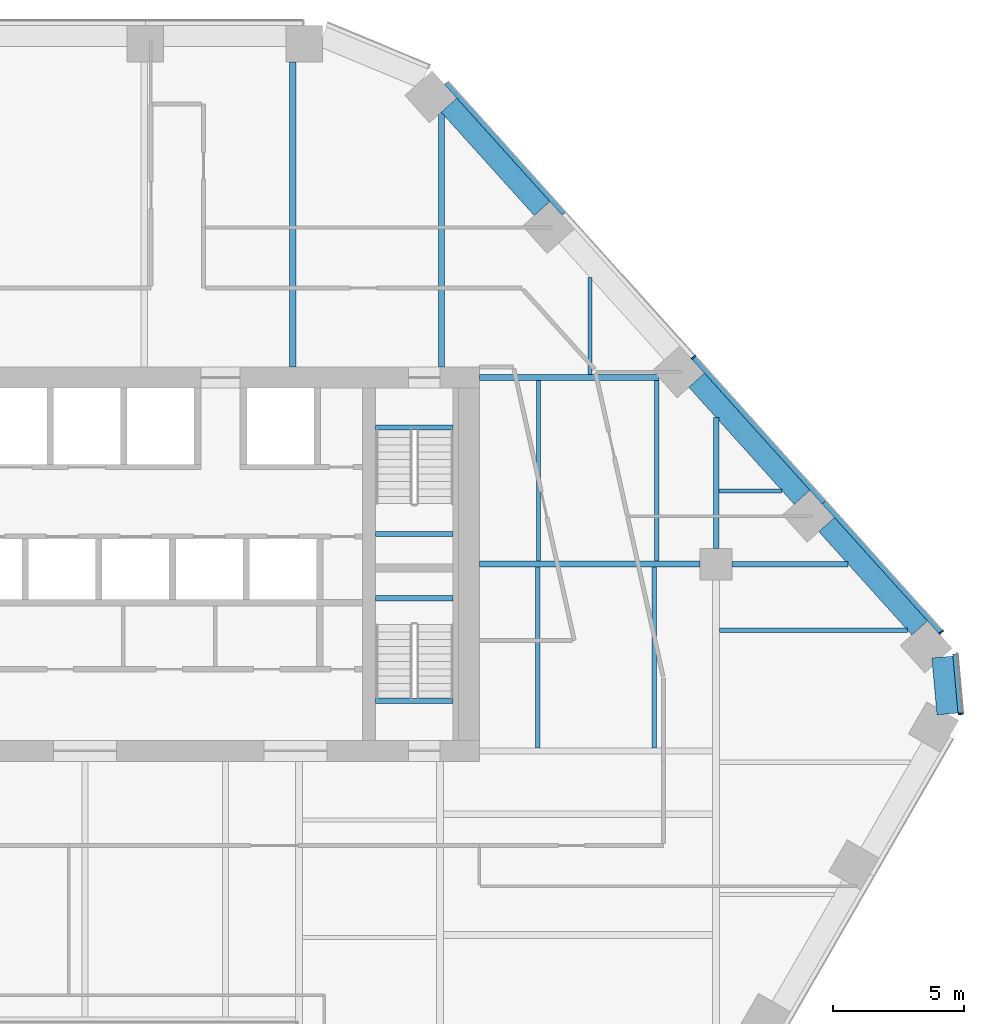
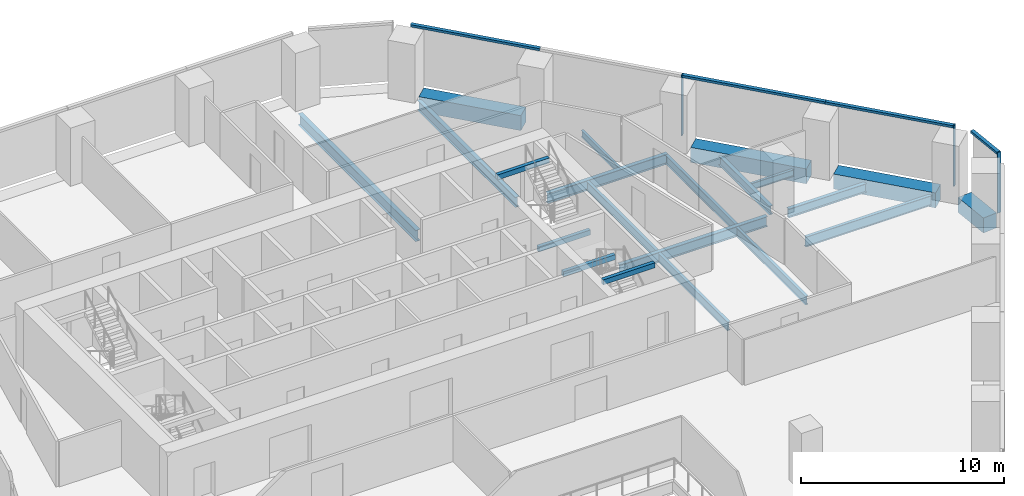
# One storey, part 8 of 16: 21 beams, 7 members, 2 elements without a shape of their own.
"""IFC4 building model written with IfcOpenShell, lengths in metres."""

import ifcopenshell
import ifcopenshell.guid

model = None  # the IFC model being written
_history = None  # IfcOwnerHistory: only IFC2X3 demands one
_inside = {}  # id of a spatial element -> (the spatial element, [elements in it])
_under = {}  # id of a project, library or spatial element -> (it, [spatial elements below it])
_declared = {}  # id of a project -> (the project, [libraries it declares])
_typed = {}  # id of a type object -> (the type object, [elements of that type])
_made_of = {}  # id of a material, layer set ... -> (it, [elements and type objects made of it])


def new_model(schema):
    """Start an empty IFC model of exactly this schema.

    Asked for "IFC4X3", IfcOpenShell would pick the latest addendum, in which some entities
    have other attributes; the version numbers below select the first issue.
    IFC2X3 requires an IfcOwnerHistory on every rooted entity: one is made here for all.
    """
    global model, _history
    if schema == "IFC4X3":
        model = ifcopenshell.file(schema_version=(4, 3, 0, 0))
    else:
        model = ifcopenshell.file(schema=schema)
    _inside.clear()
    _under.clear()
    _declared.clear()
    _typed.clear()
    _made_of.clear()
    _history = None
    if model.schema == "IFC2X3":
        org = make("IfcOrganization", Name="unknown")
        user = make(
            "IfcPersonAndOrganization",
            ThePerson=make("IfcPerson", FamilyName="unknown"),
            TheOrganization=org,
        )
        app = make(
            "IfcApplication",
            ApplicationDeveloper=org,
            Version="unknown",
            ApplicationFullName="unknown",
            ApplicationIdentifier="unknown",
        )
        _history = make(
            "IfcOwnerHistory",
            OwningUser=user,
            OwningApplication=app,
            ChangeAction="ADDED",
            CreationDate=0,
        )
    return model


def make(cls, **values):
    """One entity of the class cls with the attributes given. An attribute that is None is left unset."""
    return model.create_entity(
        cls, **{name: value for name, value in values.items() if value is not None}
    )


def rooted(cls, **values):
    """An entity with a GlobalId (a new one), such as an element, a storey or a relation."""
    return make(cls, GlobalId=ifcopenshell.guid.new(), OwnerHistory=_history, **values)


def si_unit(unit_type, name, prefix=None):
    """IfcSIUnit, for example si_unit("LENGTHUNIT", "METRE", prefix="MILLI")."""
    return make("IfcSIUnit", UnitType=unit_type, Prefix=prefix, Name=name)


def assignment(units):
    """IfcUnitAssignment: the units of a project."""
    return None if units is None else make("IfcUnitAssignment", Units=units)


def point(xyz):
    """IfcCartesianPoint."""
    return None if xyz is None else make("IfcCartesianPoint", Coordinates=xyz)


def direction(xyz):
    """IfcDirection."""
    return None if xyz is None else make("IfcDirection", DirectionRatios=xyz)


def frame(location, z_axis=None, x_axis=None):
    """IfcAxis2Placement3D, a coordinate frame: its origin and axes. An axis left out is left unset."""
    return make(
        "IfcAxis2Placement3D",
        Location=point(location),
        Axis=direction(z_axis),
        RefDirection=direction(x_axis),
    )


def frame_2d(location, x_axis=None):
    """IfcAxis2Placement2D, a coordinate frame in the plane: its origin and x axis."""
    return make(
        "IfcAxis2Placement2D", Location=point(location), RefDirection=direction(x_axis)
    )


def origin():
    """The frame at (0, 0, 0) with its axes left unset."""
    return frame((0.0, 0.0, 0.0))


def origin_2d():
    """The frame at (0, 0) in the plane with its x axis left unset."""
    return frame_2d((0.0, 0.0))


def place(relative_to, where):
    """IfcLocalPlacement: puts the frame where relative to a parent placement (None: the world)."""
    return make(
        "IfcLocalPlacement", PlacementRelTo=relative_to, RelativePlacement=where
    )


def context(
    kind, dimensions, precision=None, world=None, true_north=None, identifier=None
):
    """IfcGeometricRepresentationContext, for example the 3D "Model" context."""
    return make(
        "IfcGeometricRepresentationContext",
        ContextIdentifier=identifier,
        ContextType=kind,
        CoordinateSpaceDimension=dimensions,
        Precision=precision,
        WorldCoordinateSystem=world,
        TrueNorth=true_north,
    )


def subcontext(parent, identifier, kind, view, scale=None):
    """IfcGeometricRepresentationSubContext, for example "Body" below "Model"."""
    return make(
        "IfcGeometricRepresentationSubContext",
        ContextIdentifier=identifier,
        ContextType=kind,
        ParentContext=parent,
        TargetScale=scale,
        TargetView=view,
    )


def project(units=None, contexts=None):
    """IfcProject with its units and contexts."""
    return rooted(
        "IfcProject",
        Name="project",
        RepresentationContexts=contexts,
        UnitsInContext=assignment(units),
    )


def spatial(cls, under=None, at=None, **own):
    """A site, building, storey or space (cls), placed at a placement, below another one or the project."""
    s = rooted(cls, ObjectPlacement=at, **own)
    if under is not None:
        _under.setdefault(under.id(), (under, []))[1].append(s)
    return s


def profile(cls, at=None, kind="AREA", **sizes):
    """A parametric profile (cls). Its sizes go by their IFC names, for example OverallWidth=200.0."""
    return make(cls, ProfileType=kind, Position=at, **sizes)


def rectangle(**sizes):
    """IfcRectangleProfileDef."""
    return profile("IfcRectangleProfileDef", **sizes)


def i_section(**sizes):
    """IfcIShapeProfileDef."""
    return profile("IfcIShapeProfileDef", **sizes)


def extrude(swept, where, along, depth):
    """IfcExtrudedAreaSolid: the profile swept, set in the frame where, extruded along a direction by depth."""
    return make(
        "IfcExtrudedAreaSolid",
        SweptArea=swept,
        Position=where,
        ExtrudedDirection=direction(along),
        Depth=depth,
    )


def shape(context_of_items, identifier, shape_type, items):
    """IfcShapeRepresentation: the items that make up one representation, for example the "Body"."""
    return make(
        "IfcShapeRepresentation",
        ContextOfItems=context_of_items,
        RepresentationIdentifier=identifier,
        RepresentationType=shape_type,
        Items=items,
    )


def material(Name=None, Category=None):
    """IfcMaterial."""
    return make("IfcMaterial", Name=Name, Category=Category)


def layer(
    of_material, thickness, ventilated=None, Name=None, Category=None, Priority=None
):
    """IfcMaterialLayer: one layer of a wall or slab, of a material (None: an air gap)."""
    return make(
        "IfcMaterialLayer",
        Material=of_material,
        LayerThickness=thickness,
        IsVentilated=ventilated,
        Name=Name,
        Category=Category,
        Priority=Priority,
    )


def layer_set(layers, Name=None):
    """IfcMaterialLayerSet."""
    return make("IfcMaterialLayerSet", MaterialLayers=layers, LayerSetName=Name)


def material_profile(
    of_material, cross_section, Name=None, Category=None, Priority=None
):
    """IfcMaterialProfile: a cross section and its material."""
    return make(
        "IfcMaterialProfile",
        Name=Name,
        Material=of_material,
        Profile=cross_section,
        Priority=Priority,
        Category=Category,
    )


def profile_set(profiles, Name=None, composite=None):
    """IfcMaterialProfileSet."""
    return make(
        "IfcMaterialProfileSet",
        Name=Name,
        MaterialProfiles=profiles,
        CompositeProfile=composite,
    )


def made_of(thing, what):
    """Note that an element or type object is made of a material, layer set ...; save() writes the relation."""
    if what is not None:
        _made_of.setdefault(what.id(), (what, []))[1].append(thing)
    return thing


def type_object(cls, material=None, **own):
    """A type object (cls), such as IfcWallType, which elements share."""
    return made_of(rooted(cls, **own), material)


def element(
    cls,
    number,
    at=None,
    inside=None,
    cuts=None,
    type_object=None,
    material=None,
    context=None,
    identifier="Body",
    shape_type=None,
    held_by="IfcProductDefinitionShape",
    body=None,
    shapes=None,
    **own,
):
    """One element of the class cls, such as IfcWall. Its Tag is "e" and its number.

    at: its placement. inside: the storey or other place that contains it. cuts: it is an
    opening in that element (IfcRelVoidsElement). A single representation is given by context,
    identifier, shape_type and body (its items); several are given by shapes. held_by: the class
    of the entity that holds the representations. save() writes the other relations.
    """
    e = rooted(cls, Tag="e%d" % number, ObjectPlacement=at, **own)
    if body is not None:
        shapes = [shape(context, identifier, shape_type, body)]
    if shapes is not None:
        e.Representation = make(held_by, Representations=shapes)
    if inside is not None:
        _inside.setdefault(inside.id(), (inside, []))[1].append(e)
    if cuts is not None:
        rooted(
            "IfcRelVoidsElement", RelatingBuildingElement=cuts, RelatedOpeningElement=e
        )
    if type_object is not None:
        _typed.setdefault(type_object.id(), (type_object, []))[1].append(e)
    return made_of(e, material)


def aggregate(whole, parts):
    """IfcRelAggregates: a whole, such as a stair, and the parts it consists of."""
    return rooted("IfcRelAggregates", RelatingObject=whole, RelatedObjects=parts)


def save(model, path):
    """Write the relations noted so far, then the file.

    IfcRelAggregates (storeys below a building ...), IfcRelContainedInSpatialStructure (elements
    in a storey), IfcRelDefinesByType, IfcRelAssociatesMaterial and IfcRelDeclares: one each for
    every whole, place, type object, material and project.
    """
    for whole, parts in _under.values():
        aggregate(whole, parts)
    for where, things in _inside.values():
        rooted(
            "IfcRelContainedInSpatialStructure",
            RelatedElements=things,
            RelatingStructure=where,
        )
    for kind, things in _typed.values():
        rooted("IfcRelDefinesByType", RelatedObjects=things, RelatingType=kind)
    for what, things in _made_of.values():
        rooted("IfcRelAssociatesMaterial", RelatedObjects=things, RelatingMaterial=what)
    for by, libraries in _declared.values():
        rooted("IfcRelDeclares", RelatingContext=by, RelatedDefinitions=libraries)
    model.write(path)


model = new_model("IFC4")

# Units and contexts
model_context = context("Model", 3, precision=1e-05, world=origin(), true_north=direction((0.0, 1.0)))
body_context = subcontext(model_context, "Body", "Model", "MODEL_VIEW")
ifc_project = project(units=[si_unit("LENGTHUNIT", "METRE"), si_unit("AREAUNIT", "SQUARE_METRE"), si_unit("VOLUMEUNIT", "CUBIC_METRE"), si_unit("PLANEANGLEUNIT", "RADIAN"), si_unit("MASSUNIT", "GRAM", prefix="KILO")], contexts=[model_context])

# Site, building, storey
site_placement = place(None, origin())
site = spatial("IfcSite", under=ifc_project, at=site_placement, CompositionType="ELEMENT")
building_placement = place(site_placement, origin())
building = spatial("IfcBuilding", under=site, at=building_placement, Name="Isthmus Gate Tower", CompositionType="ELEMENT")
storey_placement = place(building_placement, frame((0.0, 0.0, 137.10009765625)))
storey = spatial("IfcBuildingStorey", under=building, at=storey_placement, Name="L33", CompositionType="ELEMENT", Elevation=137.10009765625)

# Curtain wall, member
ifc_material_1 = material(Name="Aluminium, pale champagne anodised", Category="aluminium")
ifc_layer = layer(ifc_material_1, 0.199951171875)
ifc_layer_set = layer_set([ifc_layer], Name="CW-1 UNITISED CURTAIN WALL 200 DEEP")
curtain_wall_type = type_object("IfcCurtainWallType", Name="CW-1 UNITISED CURTAIN WALL 200 DEEP", PredefinedType="NOTDEFINED", material=ifc_layer_set)
curtain_wall_1_placement = place(storey_placement, origin())
curtain_wall_1 = element("IfcCurtainWall", 1, at=curtain_wall_1_placement, inside=storey, type_object=curtain_wall_type, Name="CW-1 SE-NE L33", PredefinedType="NOTDEFINED")
ifc_material_2 = material(Name="Aluminium, pale champagne anodised", Category="aluminium")
ifc_material_profile_1 = material_profile(ifc_material_2, rectangle(XDim=0.06005859375, YDim=0.199951171875, at=origin_2d()), Name="60x200")
ifc_profile_set_1 = profile_set([ifc_material_profile_1], Name="Aluminium, pale champagne anodised")
member_type_1 = type_object("IfcMemberType", Name="CW-1 MULLION 60 X 200", PredefinedType="MULLION", material=ifc_profile_set_1)
member_1_placement = place(storey_placement, frame((33.307861328125, 1.804443359375, 0.0), z_axis=(0.0, 0.0, 1.0), x_axis=(-0.089396669717, 0.995996102123, 0.0)))
member_1 = element("IfcMember", 2, at=member_1_placement, type_object=member_type_1, Name="CW-1 mullion", PredefinedType="MULLION", context=body_context, shape_type="SweptSolid", body=[
    extrude(rectangle(XDim=0.06005859375, YDim=0.199951171875, at=origin_2d()), origin(), (0.0, 0.0, 1.0), 3.64990234375),
])

# Curtain wall, members
curtain_wall_2_placement = place(storey_placement, origin())
curtain_wall_2 = element("IfcCurtainWall", 3, at=curtain_wall_2_placement, inside=storey, type_object=curtain_wall_type, Name="CW-1 NE L33", PredefinedType="NOTDEFINED")
member_2_placement = place(storey_placement, frame((32.5693359375, 4.908447265625, 0.0), z_axis=(0.0, 0.0, 1.0), x_axis=(-0.669130606359, 0.743144825477, 0.0)))
member_2 = element("IfcMember", 4, at=member_2_placement, type_object=member_type_1, Name="CW-1 mullion", PredefinedType="MULLION", context=body_context, shape_type="SweptSolid", body=[
    extrude(rectangle(XDim=0.06005859375, YDim=0.199951171875, at=origin_2d()), origin(), (0.0, 0.0, 1.0), 3.64990234375),
])
member_3_placement = place(storey_placement, frame((23.14697265625, 15.373046875, 0.0), z_axis=(0.0, 0.0, 1.0), x_axis=(-0.669130606359, 0.743144825477, 0.0)))
member_3 = element("IfcMember", 5, at=member_3_placement, type_object=member_type_1, Name="CW-1 mullion", PredefinedType="MULLION", context=body_context, shape_type="SweptSolid", body=[
    extrude(rectangle(XDim=0.06005859375, YDim=0.199951171875, at=origin_2d()), origin(), (0.0, 0.0, 1.0), 3.64990234375),
])

# Member
ifc_material_3 = material(Name="Aluminium, pale champagne anodised", Category="aluminium")
ifc_material_profile_2 = material_profile(ifc_material_3, rectangle(XDim=0.199951171875, YDim=0.139892578125, at=origin_2d()), Name="200x140")
ifc_profile_set_2 = profile_set([ifc_material_profile_2], Name="Aluminium, pale champagne anodised")
member_type_2 = type_object("IfcMemberType", Name="CW-1 TRANSOM 200 X 140", PredefinedType="USERDEFINED", material=ifc_profile_set_2)
member_4_placement = place(storey_placement, frame((33.30517578125, 1.83447265625, 3.579833984375), z_axis=(-0.089395362867, 0.995996219419, 0.0), x_axis=(-0.995996219419, -0.089395362867, 0.0)))
member_4 = element("IfcMember", 6, at=member_4_placement, type_object=member_type_2, Name="CW-1 transom", ObjectType="TRANSOM", PredefinedType="USERDEFINED", context=body_context, shape_type="SweptSolid", body=[
    extrude(rectangle(XDim=0.199951171875, YDim=0.139892578125, at=origin_2d()), origin(), (0.0, 0.0, 1.0), 2.258544921875),
])

aggregate(curtain_wall_1, [member_1, member_4])

member_5_placement = place(storey_placement, frame((32.54931640625, 4.930908203125, 3.579833984375), z_axis=(-0.669153891975, 0.743123858354, 0.0), x_axis=(-0.743123858354, -0.669153891975, 0.0)))
member_5 = element("IfcMember", 7, at=member_5_placement, type_object=member_type_2, Name="CW-1 transom", ObjectType="TRANSOM", PredefinedType="USERDEFINED", context=body_context, shape_type="SweptSolid", body=[
    extrude(rectangle(XDim=0.199951171875, YDim=0.139892578125, at=origin_2d()), origin(), (0.0, 0.0, 1.0), 6.630859375),
])

member_6_placement = place(storey_placement, frame((28.1123046875, 9.8583984375, 3.579833984375), z_axis=(-0.669123495435, 0.74315122812, 0.0), x_axis=(-0.74315122812, -0.669123495435, 0.0)))
member_6 = element("IfcMember", 8, at=member_6_placement, type_object=member_type_2, Name="CW-1 transom", ObjectType="TRANSOM", PredefinedType="USERDEFINED", context=body_context, shape_type="SweptSolid", body=[
    extrude(rectangle(XDim=0.199951171875, YDim=0.139892578125, at=origin_2d()), origin(), (0.0, 0.0, 1.0), 7.390625),
])

member_7_placement = place(storey_placement, frame((18.221435546875, 20.84326171875, 3.579833984375), z_axis=(-0.669117935274, 0.743156234378, 0.0), x_axis=(-0.743156234378, -0.669117935274, 0.0)))
member_7 = element("IfcMember", 9, at=member_7_placement, type_object=member_type_2, Name="CW-1 transom", ObjectType="TRANSOM", PredefinedType="USERDEFINED", context=body_context, shape_type="SweptSolid", body=[
    extrude(rectangle(XDim=0.199951171875, YDim=0.139892578125, at=origin_2d()), origin(), (0.0, 0.0, 1.0), 6.690673828125),
])

aggregate(curtain_wall_2, [member_2, member_5, member_6, member_3, member_7])

# Beams
ifc_material_4 = material(Name="Concrete f'c 60 MPa", Category="concrete")
ifc_material_profile_3 = material_profile(ifc_material_4, rectangle(XDim=0.800048828125, YDim=0.89990234375, at=origin_2d()), Name="RC 800X900")
ifc_profile_set_3 = profile_set([ifc_material_profile_3], Name="Concrete f'c 60 MPa")
beam_type_1 = type_object("IfcBeamType", Name="RC SPANDREL 800 X 900", PredefinedType="SPANDREL", material=ifc_profile_set_3)
beam_1_placement = place(storey_placement, frame((13.84130859375, 24.960693359375, -0.4501953125), z_axis=(0.669153370522, -0.743124327901, 0.0), x_axis=(0.743124327901, 0.669153370522, 0.0)))
element("IfcBeam", 10, at=beam_1_placement, inside=storey, type_object=beam_type_1, Name="str-spandrel-L33-01", PredefinedType="SPANDREL", context=body_context, shape_type="SweptSolid", body=[
    extrude(rectangle(XDim=0.800048828125, YDim=0.89990234375, at=origin_2d()), origin(), (0.0, 0.0, 1.0), 5.290771484375),
])
beam_2_placement = place(storey_placement, frame((23.263671875, 14.49609375, -0.4501953125), z_axis=(0.669156088603, -0.74312188037, 0.0), x_axis=(0.74312188037, 0.669156088603, 0.0)))
element("IfcBeam", 11, at=beam_2_placement, inside=storey, type_object=beam_type_1, Name="str-spandrel-L33-03", PredefinedType="SPANDREL", context=body_context, shape_type="SweptSolid", body=[
    extrude(rectangle(XDim=0.800048828125, YDim=0.89990234375, at=origin_2d()), origin(), (0.0, 0.0, 1.0), 5.99072265625),
])
beam_3_placement = place(storey_placement, frame((28.209228515625, 9.003662109375, -0.4501953125), z_axis=(0.669130424574, -0.743144989157, 0.0), x_axis=(0.743144989157, 0.669130424574, 0.0)))
element("IfcBeam", 12, at=beam_3_placement, inside=storey, type_object=beam_type_1, Name="str-spandrel-L33-04", PredefinedType="SPANDREL", context=body_context, shape_type="SweptSolid", body=[
    extrude(rectangle(XDim=0.800048828125, YDim=0.89990234375, at=origin_2d()), origin(), (0.0, 0.0, 1.0), 5.290771484375),
])
beam_4_placement = place(storey_placement, frame((32.61181640625, 3.964599609375, -0.4501953125), z_axis=(0.089421511639, -0.995993872098, 0.0), x_axis=(0.995993872098, 0.089421511639, 0.0)))
element("IfcBeam", 13, at=beam_4_placement, inside=storey, type_object=beam_type_1, Name="str-spandrel-L33-05", PredefinedType="SPANDREL", context=body_context, shape_type="SweptSolid", body=[
    extrude(rectangle(XDim=0.800048828125, YDim=0.89990234375, at=origin_2d()), origin(), (0.0, 0.0, 1.0), 2.17333984375),
])
ifc_material_5 = material(Name="Concrete f'c 40 MPa", Category="concrete")
ifc_material_profile_4 = material_profile(ifc_material_5, rectangle(XDim=0.199951171875, YDim=0.300048828125, at=origin_2d()), Name="STAIR LANDING BEAM RC 200 X 300")
ifc_profile_set_4 = profile_set([ifc_material_profile_4], Name="Concrete f'c 40 MPa")
beam_type_2 = type_object("IfcBeamType", Name="STAIR LANDING BEAM RC 200 X 300", PredefinedType="BEAM", material=ifc_profile_set_4)
for number, where, z_axis, x_axis, name in (
    (14, (11.050048828125, 8.64990234375, 1.474853515625), (1.0, 0.0, 0.0), (0.0, 1.0, 0.0), "L33 ST2 landing beam 1"),
    (15, (11.050048828125, 12.7001953125, 3.349853515625), (1.0, 0.0, 0.0), (0.0, 1.0, 0.0), "L33 ST2 floor-edge seat beam"),
    (16, (11.050048828125, 6.199951171875, 1.474853515625), (1.0, 0.0, 0.0), (0.0, 1.0, 0.0), "L33 ST8 landing beam 1"),
    (17, (11.050048828125, 2.2998046875, 3.349853515625), (1.0, 0.0, 0.0), (0.0, 1.0, 0.0), "L33 ST8 floor-edge seat beam"),
):
    element("IfcBeam", number, at=place(storey_placement, frame(where, z_axis=z_axis, x_axis=x_axis)), inside=storey, type_object=beam_type_2, Name=name, PredefinedType="BEAM", context=body_context, shape_type="SweptSolid", body=[
        extrude(rectangle(XDim=0.199951171875, YDim=0.300048828125, at=origin_2d()), origin(), (0.0, 0.0, 1.0), 2.949951171875),
    ])
ifc_material_6 = material(Name="Structural steel ASTM A992 Gr 50", Category="steel")
ifc_material_profile_5 = material_profile(ifc_material_6, i_section(OverallWidth=0.1396484375, OverallDepth=0.4033203125, WebThickness=0.00634765625, FlangeThickness=0.010986328125, at=origin_2d()), Name="W16X31")
ifc_profile_set_5 = profile_set([ifc_material_profile_5], Name="Structural steel ASTM A992 Gr 50")
beam_type_3 = type_object("IfcBeamType", Name="STEEL FLOOR BEAM W16X31", PredefinedType="JOIST", material=ifc_profile_set_5)
beam_5_placement = place(storey_placement, frame((19.204345703125, 14.71435546875, -0.351806640625), z_axis=(0.0, 1.0, 0.0), x_axis=(-1.0, 0.0, 0.0)))
element("IfcBeam", 18, at=beam_5_placement, inside=storey, type_object=beam_type_3, Name="str-beam-L33-05-07", PredefinedType="JOIST", context=body_context, shape_type="SweptSolid", body=[
    extrude(i_section(OverallWidth=0.1396484375, OverallDepth=0.4033203125, WebThickness=0.00634765625, FlangeThickness=0.010986328125, at=origin_2d()), origin(), (0.0, 0.0, 1.0), 3.6923828125),
])
beam_6_placement = place(storey_placement, frame((24.104736328125, 10.284423828125, -0.351806640625), z_axis=(1.0, 0.0, 0.0), x_axis=(0.0, 1.0, 0.0)))
element("IfcBeam", 19, at=beam_6_placement, inside=storey, type_object=beam_type_3, Name="str-beam-L33-15-00", PredefinedType="JOIST", context=body_context, shape_type="SweptSolid", body=[
    extrude(i_section(OverallWidth=0.1396484375, OverallDepth=0.4033203125, WebThickness=0.00634765625, FlangeThickness=0.010986328125, at=origin_2d()), origin(), (0.0, 0.0, 1.0), 2.412841796875),
])
ifc_material_7 = material(Name="Structural steel ASTM A992 Gr 50", Category="steel")
ifc_material_profile_6 = material_profile(ifc_material_7, i_section(OverallWidth=0.1650390625, OverallDepth=0.52392578125, WebThickness=0.009521484375, FlangeThickness=0.010986328125, at=origin_2d()), Name="W21X44")
ifc_profile_set_6 = profile_set([ifc_material_profile_6], Name="Structural steel ASTM A992 Gr 50")
beam_type_4 = type_object("IfcBeamType", Name="STEEL FLOOR BEAM W21X44", PredefinedType="JOIST", material=ifc_profile_set_6)
for number, where, z_axis, x_axis, name in (
    (20, (17.25, 7.6142578125, -0.412109375), (0.0, 1.0, 0.0), (-1.0, 0.0, 0.0), "str-beam-L33-13-00"),
    (21, (21.75, 7.6142578125, -0.412109375), (0.0, 1.0, 0.0), (-1.0, 0.0, 0.0), "str-beam-L33-13-01"),
    (22, (17.216552734375, 0.514404296875, -0.412109375), (0.0, 1.0, 0.0), (-1.0, 0.0, 0.0), "str-beam-L33-14-00"),
    (23, (21.64990234375, 0.514404296875, -0.412109375), (0.0, 1.0, 0.0), (-1.0, 0.0, 0.0), "str-beam-L33-14-01"),
):
    element("IfcBeam", number, at=place(storey_placement, frame(where, z_axis=z_axis, x_axis=x_axis)), inside=storey, type_object=beam_type_4, Name=name, PredefinedType="JOIST", context=body_context, shape_type="SweptSolid", body=[
        extrude(i_section(OverallWidth=0.1650390625, OverallDepth=0.52392578125, WebThickness=0.009521484375, FlangeThickness=0.010986328125, at=origin_2d()), origin(), (0.0, 0.0, 1.0), 6.871337890625),
    ])
ifc_material_8 = material(Name="Structural steel ASTM A992 Gr 50", Category="steel")
ifc_material_profile_7 = material_profile(ifc_material_8, i_section(OverallWidth=0.177734375, OverallDepth=0.60009765625, WebThickness=0.009521484375, FlangeThickness=0.0126953125, at=origin_2d()), Name="W24X55")
ifc_profile_set_7 = profile_set([ifc_material_profile_7], Name="Structural steel ASTM A992 Gr 50")
beam_type_5 = type_object("IfcBeamType", Name="STEEL FLOOR BEAM W24X55", PredefinedType="JOIST", material=ifc_profile_set_7)
beam_7_placement = place(storey_placement, frame((24.13330078125, 4.987548828125, -0.4501953125), z_axis=(1.0, 0.0, 0.0), x_axis=(0.0, 1.0, 0.0)))
element("IfcBeam", 24, at=beam_7_placement, inside=storey, type_object=beam_type_5, Name="str-beam-L33-16-02", PredefinedType="JOIST", context=body_context, shape_type="SweptSolid", body=[
    extrude(i_section(OverallWidth=0.177734375, OverallDepth=0.60009765625, WebThickness=0.009521484375, FlangeThickness=0.0126953125, at=origin_2d()), origin(), (0.0, 0.0, 1.0), 7.15380859375),
])
ifc_material_9 = material(Name="Structural steel ASTM A992 Gr 50", Category="steel")
ifc_material_profile_8 = material_profile(ifc_material_9, i_section(OverallWidth=0.228515625, OverallDepth=0.603271484375, WebThickness=0.010986328125, FlangeThickness=0.014404296875, at=origin_2d()), Name="W24X68")
ifc_profile_set_8 = profile_set([ifc_material_profile_8], Name="Structural steel ASTM A992 Gr 50")
beam_type_6 = type_object("IfcBeamType", Name="STEEL FLOOR BEAM W24X68", PredefinedType="JOIST", material=ifc_profile_set_8)
beam_8_placement = place(storey_placement, frame((13.5537109375, 15.0, -0.45166015625), z_axis=(0.0, 1.0, 0.0), x_axis=(-1.0, 0.0, 0.0)))
element("IfcBeam", 25, at=beam_8_placement, inside=storey, type_object=beam_type_6, Name="str-beam-L33-05-06", PredefinedType="JOIST", context=body_context, shape_type="SweptSolid", body=[
    extrude(i_section(OverallWidth=0.228515625, OverallDepth=0.603271484375, WebThickness=0.010986328125, FlangeThickness=0.014404296875, at=origin_2d()), origin(), (0.0, 0.0, 1.0), 9.682373046875),
])
ifc_material_10 = material(Name="Structural steel ASTM A992 Gr 50", Category="steel")
ifc_material_profile_9 = material_profile(ifc_material_10, i_section(OverallWidth=0.25390625, OverallDepth=0.679443359375, WebThickness=0.010986328125, FlangeThickness=0.015869140625, at=origin_2d()), Name="W27X84")
ifc_profile_set_9 = profile_set([ifc_material_profile_9], Name="Structural steel ASTM A992 Gr 50")
beam_type_7 = type_object("IfcBeamType", Name="STEEL FLOOR BEAM W27X84", PredefinedType="JOIST", material=ifc_profile_set_9)
beam_9_placement = place(storey_placement, frame((7.903076171875, 15.0, -0.48974609375), z_axis=(0.0, 1.0, 0.0), x_axis=(-1.0, 0.0, 0.0)))
element("IfcBeam", 26, at=beam_9_placement, inside=storey, type_object=beam_type_7, Name="str-beam-L33-05-05", PredefinedType="JOIST", context=body_context, shape_type="SweptSolid", body=[
    extrude(i_section(OverallWidth=0.25390625, OverallDepth=0.679443359375, WebThickness=0.010986328125, FlangeThickness=0.015869140625, at=origin_2d()), origin(), (0.0, 0.0, 1.0), 11.60009765625),
])
ifc_material_11 = material(Name="Structural steel ASTM A992 Gr 50", Category="steel")
ifc_material_profile_10 = material_profile(ifc_material_11, i_section(OverallWidth=0.20947265625, OverallDepth=0.533447265625, WebThickness=0.009521484375, FlangeThickness=0.015869140625, at=origin_2d()), Name="W21X62")
ifc_profile_set_10 = profile_set([ifc_material_profile_10], Name="Structural steel ASTM A992 Gr 50")
beam_type_8 = type_object("IfcBeamType", Name="STEEL GIRDER W21X62", PredefinedType="BEAM", material=ifc_profile_set_10)
beam_10_placement = place(storey_placement, frame((24.60009765625, 7.5, -0.416748046875), z_axis=(1.0, 0.0, 0.0), x_axis=(0.0, 1.0, 0.0)))
element("IfcBeam", 27, at=beam_10_placement, inside=storey, type_object=beam_type_8, Name="str-girder-L33-06", PredefinedType="BEAM", context=body_context, shape_type="SweptSolid", body=[
    extrude(i_section(OverallWidth=0.20947265625, OverallDepth=0.533447265625, WebThickness=0.009521484375, FlangeThickness=0.015869140625, at=origin_2d()), origin(), (0.0, 0.0, 1.0), 4.4248046875),
])
beam_11_placement = place(storey_placement, frame((24.0, 8.10009765625, -0.416748046875), z_axis=(0.0, 1.0, 0.0), x_axis=(-1.0, 0.0, 0.0)))
element("IfcBeam", 28, at=beam_11_placement, inside=storey, type_object=beam_type_8, Name="str-girder-L33-12", PredefinedType="BEAM", context=body_context, shape_type="SweptSolid", body=[
    extrude(i_section(OverallWidth=0.20947265625, OverallDepth=0.533447265625, WebThickness=0.009521484375, FlangeThickness=0.015869140625, at=origin_2d()), origin(), (0.0, 0.0, 1.0), 4.98046875),
])
ifc_material_12 = material(Name="Structural steel ASTM A992 Gr 50", Category="steel")
ifc_material_profile_11 = material_profile(ifc_material_12, i_section(OverallWidth=0.228515625, OverallDepth=0.603271484375, WebThickness=0.010986328125, FlangeThickness=0.014404296875, at=origin_2d()), Name="W24X68")
ifc_profile_set_11 = profile_set([ifc_material_profile_11], Name="Structural steel ASTM A992 Gr 50")
beam_type_9 = type_object("IfcBeamType", Name="STEEL GIRDER W24X68", PredefinedType="BEAM", material=ifc_profile_set_11)
beam_12_placement = place(storey_placement, frame((15.0, 14.60009765625, -0.45166015625), z_axis=(1.0, 0.0, 0.0), x_axis=(0.0, 1.0, 0.0)))
element("IfcBeam", 29, at=beam_12_placement, inside=storey, type_object=beam_type_9, Name="str-girder-L33-16", PredefinedType="BEAM", context=body_context, shape_type="SweptSolid", body=[
    extrude(i_section(OverallWidth=0.228515625, OverallDepth=0.603271484375, WebThickness=0.010986328125, FlangeThickness=0.014404296875, at=origin_2d()), origin(), (0.0, 0.0, 1.0), 6.824462890625),
])
ifc_material_13 = material(Name="Structural steel ASTM A992 Gr 50", Category="steel")
ifc_material_profile_12 = material_profile(ifc_material_13, i_section(OverallWidth=0.228515625, OverallDepth=0.6064453125, WebThickness=0.010986328125, FlangeThickness=0.017578125, at=origin_2d()), Name="W24X76")
ifc_profile_set_12 = profile_set([ifc_material_profile_12], Name="Structural steel ASTM A992 Gr 50")
beam_type_10 = type_object("IfcBeamType", Name="STEEL GIRDER W24X76", PredefinedType="BEAM", material=ifc_profile_set_12)
beam_13_placement = place(storey_placement, frame((15.0, 7.5, -0.453369140625), z_axis=(1.0, 0.0, 0.0), x_axis=(0.0, 1.0, 0.0)))
element("IfcBeam", 30, at=beam_13_placement, inside=storey, type_object=beam_type_10, Name="str-girder-L33-05", PredefinedType="BEAM", context=body_context, shape_type="SweptSolid", body=[
    extrude(i_section(OverallWidth=0.228515625, OverallDepth=0.6064453125, WebThickness=0.010986328125, FlangeThickness=0.017578125, at=origin_2d()), origin(), (0.0, 0.0, 1.0), 8.39990234375),
])

save(model, "model.ifc")
